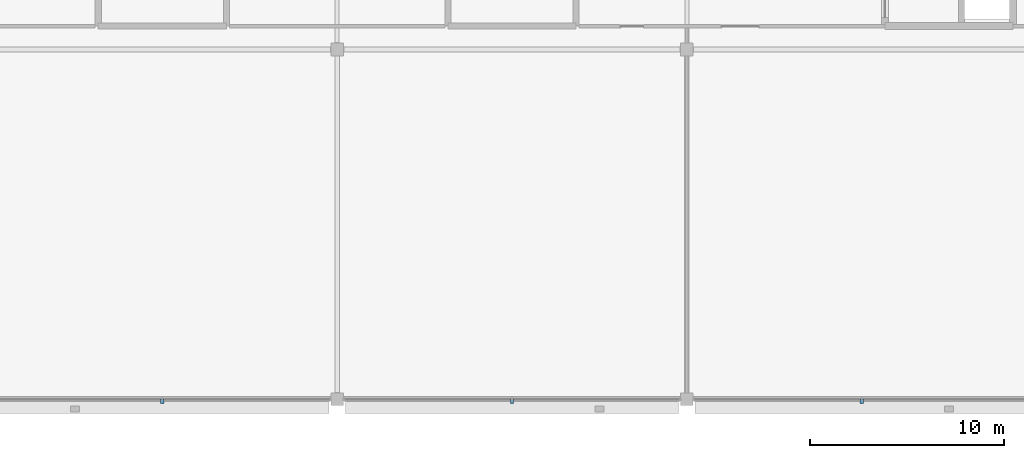
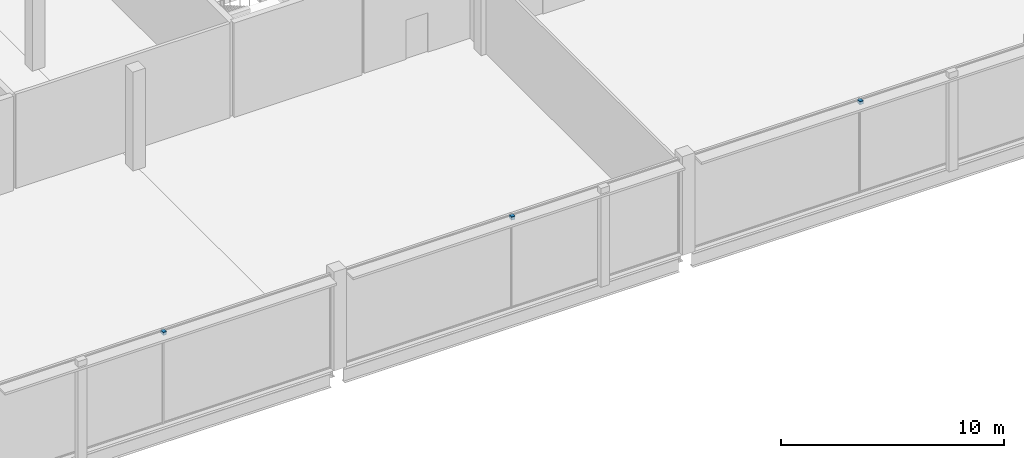
# One storey, part 75 of 113: 3 discrete accessories.
"""IFC4 building model written with IfcOpenShell, lengths in metres."""

from ifc_helpers import new_model, si_unit, direction, frame, origin, origin_2d, place, context, subcontext, project, spatial, rectangle, extrude, material, type_object, element, save


model = new_model("IFC4")

# Units and contexts
model_context = context("Model", 3, precision=1e-05, world=origin(), true_north=direction((0.0, 1.0)))
body_context = subcontext(model_context, "Body", "Model", "MODEL_VIEW")
ifc_project = project(units=[si_unit("LENGTHUNIT", "METRE"), si_unit("AREAUNIT", "SQUARE_METRE"), si_unit("VOLUMEUNIT", "CUBIC_METRE"), si_unit("PLANEANGLEUNIT", "RADIAN"), si_unit("MASSUNIT", "GRAM", prefix="KILO")], contexts=[model_context])

# Site, building, storey
site_placement = place(None, origin())
site = spatial("IfcSite", under=ifc_project, at=site_placement, CompositionType="ELEMENT")
building_placement = place(site_placement, origin())
building = spatial("IfcBuilding", under=site, at=building_placement, Name="Kisiwana Market Hall", CompositionType="ELEMENT")
storey_placement = place(building_placement, frame((0.0, 0.0, 6.0)))
storey = spatial("IfcBuildingStorey", under=building, at=storey_placement, Name="L01", CompositionType="ELEMENT", Elevation=6.0)

# Discrete accessories
ifc_material = material(Name="Steel S355", Category="steel")
discrete_accessory_type = type_object("IfcDiscreteAccessoryType", Name="ACC-BRACKET-STL", PredefinedType="BRACKET", material=ifc_material)
for number, where, z_axis, x_axis, name in (
    (1, (90.0, -0.110107421875, 4.93994140625), (0.0, 0.0, 1.0), (1.0, 0.0, 0.0), "Sunshade steel bracket BRK-010"),
    (2, (108.0, -0.110107421875, 4.93994140625), (0.0, 0.0, 1.0), (1.0, 0.0, 0.0), "Sunshade steel bracket BRK-011"),
    (3, (126.0, -0.110107421875, 4.93994140625), (0.0, 0.0, 1.0), (1.0, 0.0, 0.0), "Sunshade steel bracket BRK-012"),
):
    element("IfcDiscreteAccessory", number, at=place(storey_placement, frame(where, z_axis=z_axis, x_axis=x_axis)), inside=storey, type_object=discrete_accessory_type, Name=name, PredefinedType="BRACKET", context=body_context, shape_type="SweptSolid", body=[
        extrude(rectangle(XDim=0.179931640625, YDim=0.239990234375, at=origin_2d()), origin(), (0.0, 0.0, 1.0), 0.179931640625),
    ])

save(model, "model.ifc")
